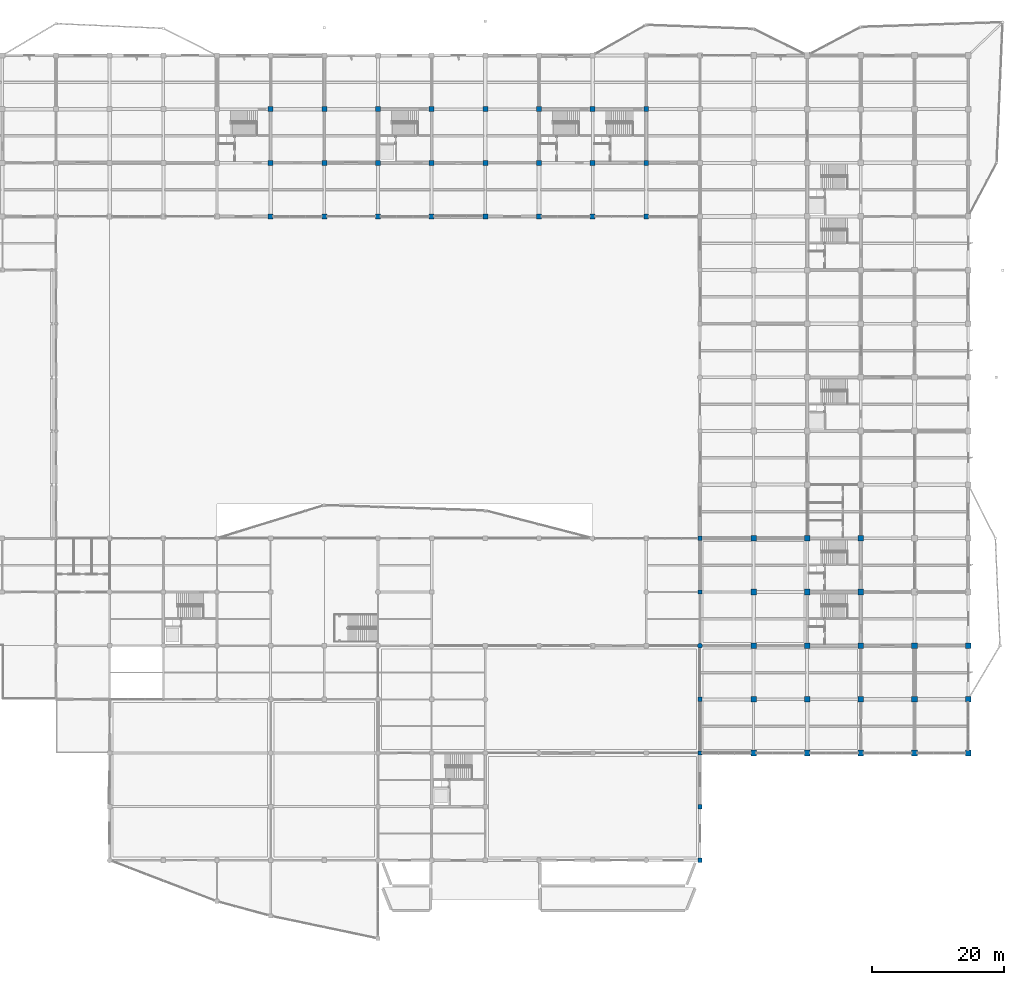
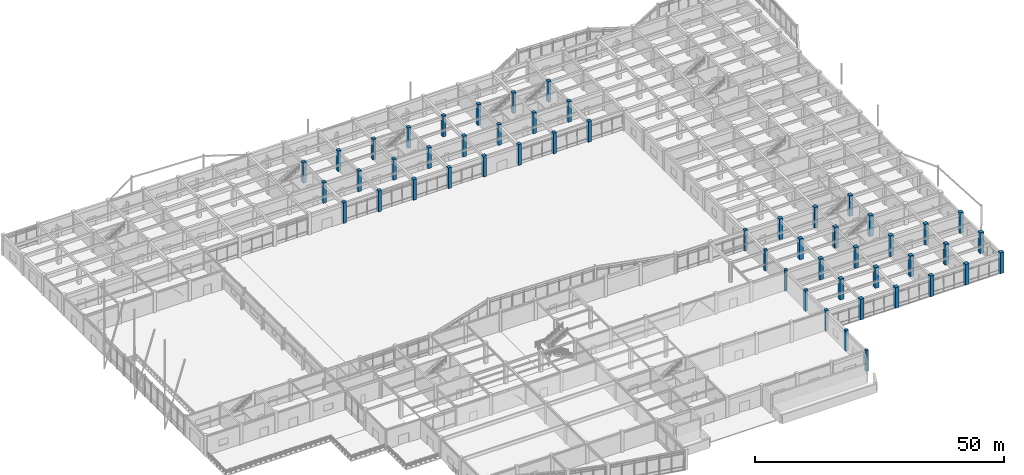
# One storey, part 12 of 99: 52 columns.
"""IFC4 building model written with IfcOpenShell, lengths in metres."""

from ifc_helpers import new_model, si_unit, direction, frame, origin, origin_2d, place, context, subcontext, project, spatial, rectangle, circle, extrude, material, material_profile, profile_set, type_object, element, save


model = new_model("IFC4")

# Units and contexts
model_context = context("Model", 3, precision=1e-05, world=origin(), true_north=direction((0.0, 1.0)))
body_context = subcontext(model_context, "Body", "Model", "MODEL_VIEW")
ifc_project = project(units=[si_unit("LENGTHUNIT", "METRE"), si_unit("AREAUNIT", "SQUARE_METRE"), si_unit("VOLUMEUNIT", "CUBIC_METRE"), si_unit("PLANEANGLEUNIT", "RADIAN"), si_unit("MASSUNIT", "GRAM", prefix="KILO")], contexts=[model_context])

# Site, building, storey
site_placement = place(None, origin())
site = spatial("IfcSite", under=ifc_project, at=site_placement, CompositionType="ELEMENT")
building_placement = place(site_placement, origin())
building = spatial("IfcBuilding", under=site, at=building_placement, Name="Vaudrelin Polytechnic", CompositionType="ELEMENT")
storey_placement = place(building_placement, origin())
storey = spatial("IfcBuildingStorey", under=building, at=storey_placement, Name="L00", CompositionType="ELEMENT", Elevation=0.0)

# Columns
ifc_material_1 = material(Name="Concrete 40 MPa", Category="concrete")
ifc_material_profile_1 = material_profile(ifc_material_1, rectangle(XDim=0.64990234375, YDim=0.64990234375, at=origin_2d()), Name="RC650x650")
ifc_profile_set_1 = profile_set([ifc_material_profile_1], Name="Concrete 40 MPa")
column_type_1 = type_object("IfcColumnType", Name="COL-C-RC650", PredefinedType="COLUMN", material=ifc_profile_set_1)
for number, where, z_axis, x_axis, name in (
    (1, (129.60009765625, 0.0, 0.0), (0.0, 0.0, 1.0), (1.0, 0.0, 0.0), "Column L00 17-1"),
    (2, (129.60009765625, 8.10009765625, 0.0), (0.0, 0.0, 1.0), (1.0, 0.0, 0.0), "Column L00 17-2"),
    (3, (129.60009765625, 16.199951171875, 0.0), (0.0, 0.0, 1.0), (1.0, 0.0, 0.0), "Column L00 17-3"),
    (4, (129.60009765625, 24.300048828125, 0.0), (0.0, 0.0, 1.0), (1.0, 0.0, 0.0), "Column L00 17-4"),
    (5, (129.60009765625, 40.5, 0.0), (0.0, 0.0, 1.0), (1.0, 0.0, 0.0), "Column L00 17-6"),
    (6, (129.60009765625, 48.60009765625, 0.0), (0.0, 0.0, 1.0), (1.0, 0.0, 0.0), "Column L00 17-7"),
):
    element("IfcColumn", number, at=place(storey_placement, frame(where, z_axis=z_axis, x_axis=x_axis)), inside=storey, type_object=column_type_1, Name=name, PredefinedType="COLUMN", context=body_context, shape_type="SweptSolid", body=[
        extrude(rectangle(XDim=0.64990234375, YDim=0.64990234375, at=origin_2d()), origin(), (0.0, 0.0, 1.0), 5.10009765625),
    ])
ifc_material_2 = material(Name="Concrete 50 MPa", Category="concrete")
ifc_material_profile_2 = material_profile(ifc_material_2, rectangle(XDim=0.75, YDim=0.75, at=origin_2d()), Name="RC750x750")
ifc_profile_set_2 = profile_set([ifc_material_profile_2], Name="Concrete 50 MPa")
column_type_2 = type_object("IfcColumnType", Name="COL-C-RC750", PredefinedType="COLUMN", material=ifc_profile_set_2)
for number, where, z_axis, x_axis, name in (
    (7, (64.800048828125, 97.199951171875, 0.0), (0.0, 0.0, 1.0), (1.0, 0.0, 0.0), "Column L00 9-13"),
    (8, (64.800048828125, 105.300048828125, 0.0), (0.0, 0.0, 1.0), (1.0, 0.0, 0.0), "Column L00 9-14"),
    (9, (64.800048828125, 113.39990234375, 0.0), (0.0, 0.0, 1.0), (1.0, 0.0, 0.0), "Column L00 9-15"),
    (10, (72.89990234375, 97.199951171875, 0.0), (0.0, 0.0, 1.0), (1.0, 0.0, 0.0), "Column L00 10-13"),
    (11, (72.89990234375, 105.300048828125, 0.0), (0.0, 0.0, 1.0), (1.0, 0.0, 0.0), "Column L00 10-14"),
    (12, (72.89990234375, 113.39990234375, 0.0), (0.0, 0.0, 1.0), (1.0, 0.0, 0.0), "Column L00 10-15"),
    (13, (81.0, 97.199951171875, 0.0), (0.0, 0.0, 1.0), (1.0, 0.0, 0.0), "Column L00 11-13"),
    (14, (81.0, 105.300048828125, 0.0), (0.0, 0.0, 1.0), (1.0, 0.0, 0.0), "Column L00 11-14"),
    (15, (81.0, 113.39990234375, 0.0), (0.0, 0.0, 1.0), (1.0, 0.0, 0.0), "Column L00 11-15"),
    (16, (89.10009765625, 97.199951171875, 0.0), (0.0, 0.0, 1.0), (1.0, 0.0, 0.0), "Column L00 12-13"),
    (17, (89.10009765625, 105.300048828125, 0.0), (0.0, 0.0, 1.0), (1.0, 0.0, 0.0), "Column L00 12-14"),
    (18, (89.10009765625, 113.39990234375, 0.0), (0.0, 0.0, 1.0), (1.0, 0.0, 0.0), "Column L00 12-15"),
    (19, (97.199951171875, 97.199951171875, 0.0), (0.0, 0.0, 1.0), (1.0, 0.0, 0.0), "Column L00 13-13"),
    (20, (97.199951171875, 105.300048828125, 0.0), (0.0, 0.0, 1.0), (1.0, 0.0, 0.0), "Column L00 13-14"),
    (21, (97.199951171875, 113.39990234375, 0.0), (0.0, 0.0, 1.0), (1.0, 0.0, 0.0), "Column L00 13-15"),
    (22, (105.300048828125, 97.199951171875, 0.0), (0.0, 0.0, 1.0), (1.0, 0.0, 0.0), "Column L00 14-13"),
    (23, (105.300048828125, 105.300048828125, 0.0), (0.0, 0.0, 1.0), (1.0, 0.0, 0.0), "Column L00 14-14"),
    (24, (105.300048828125, 113.39990234375, 0.0), (0.0, 0.0, 1.0), (1.0, 0.0, 0.0), "Column L00 14-15"),
    (25, (113.39990234375, 97.199951171875, 0.0), (0.0, 0.0, 1.0), (1.0, 0.0, 0.0), "Column L00 15-13"),
    (26, (113.39990234375, 105.300048828125, 0.0), (0.0, 0.0, 1.0), (1.0, 0.0, 0.0), "Column L00 15-14"),
    (27, (113.39990234375, 113.39990234375, 0.0), (0.0, 0.0, 1.0), (1.0, 0.0, 0.0), "Column L00 15-15"),
    (28, (121.5, 97.199951171875, 0.0), (0.0, 0.0, 1.0), (1.0, 0.0, 0.0), "Column L00 16-13"),
    (29, (121.5, 105.300048828125, 0.0), (0.0, 0.0, 1.0), (1.0, 0.0, 0.0), "Column L00 16-14"),
    (30, (121.5, 113.39990234375, 0.0), (0.0, 0.0, 1.0), (1.0, 0.0, 0.0), "Column L00 16-15"),
):
    element("IfcColumn", number, at=place(storey_placement, frame(where, z_axis=z_axis, x_axis=x_axis)), inside=storey, type_object=column_type_2, Name=name, PredefinedType="COLUMN", context=body_context, shape_type="SweptSolid", body=[
        extrude(rectangle(XDim=0.75, YDim=0.75, at=origin_2d()), origin(), (0.0, 0.0, 1.0), 5.10009765625),
    ])
ifc_material_profile_3 = material_profile(ifc_material_2, rectangle(XDim=0.85009765625, YDim=0.85009765625, at=origin_2d()), Name="RC850x850")
ifc_profile_set_3 = profile_set([ifc_material_profile_3], Name="Concrete 50 MPa")
column_type_3 = type_object("IfcColumnType", Name="COL-C-RC850", PredefinedType="COLUMN", material=ifc_profile_set_3)
for number, where, z_axis, x_axis, name in (
    (31, (137.699951171875, 16.199951171875, 0.0), (0.0, 0.0, 1.0), (1.0, 0.0, 0.0), "Column L00 18-3"),
    (32, (137.699951171875, 24.300048828125, 0.0), (0.0, 0.0, 1.0), (1.0, 0.0, 0.0), "Column L00 18-4"),
    (33, (137.699951171875, 32.39990234375, 0.0), (0.0, 0.0, 1.0), (1.0, 0.0, 0.0), "Column L00 18-5"),
    (34, (137.699951171875, 40.5, 0.0), (0.0, 0.0, 1.0), (1.0, 0.0, 0.0), "Column L00 18-6"),
    (35, (137.699951171875, 48.60009765625, 0.0), (0.0, 0.0, 1.0), (1.0, 0.0, 0.0), "Column L00 18-7"),
    (36, (145.800048828125, 16.199951171875, 0.0), (0.0, 0.0, 1.0), (1.0, 0.0, 0.0), "Column L00 19-3"),
    (37, (145.800048828125, 24.300048828125, 0.0), (0.0, 0.0, 1.0), (1.0, 0.0, 0.0), "Column L00 19-4"),
    (38, (145.800048828125, 32.39990234375, 0.0), (0.0, 0.0, 1.0), (1.0, 0.0, 0.0), "Column L00 19-5"),
    (39, (145.800048828125, 40.5, 0.0), (0.0, 0.0, 1.0), (1.0, 0.0, 0.0), "Column L00 19-6"),
    (40, (145.800048828125, 48.60009765625, 0.0), (0.0, 0.0, 1.0), (1.0, 0.0, 0.0), "Column L00 19-7"),
    (41, (153.89990234375, 16.199951171875, 0.0), (0.0, 0.0, 1.0), (1.0, 0.0, 0.0), "Column L00 20-3"),
    (42, (153.89990234375, 24.300048828125, 0.0), (0.0, 0.0, 1.0), (1.0, 0.0, 0.0), "Column L00 20-4"),
    (43, (153.89990234375, 32.39990234375, 0.0), (0.0, 0.0, 1.0), (1.0, 0.0, 0.0), "Column L00 20-5"),
    (44, (153.89990234375, 40.5, 0.0), (0.0, 0.0, 1.0), (1.0, 0.0, 0.0), "Column L00 20-6"),
    (45, (153.89990234375, 48.60009765625, 0.0), (0.0, 0.0, 1.0), (1.0, 0.0, 0.0), "Column L00 20-7"),
    (46, (162.0, 16.199951171875, 0.0), (0.0, 0.0, 1.0), (1.0, 0.0, 0.0), "Column L00 21-3"),
    (47, (162.0, 24.300048828125, 0.0), (0.0, 0.0, 1.0), (1.0, 0.0, 0.0), "Column L00 21-4"),
    (48, (162.0, 32.39990234375, 0.0), (0.0, 0.0, 1.0), (1.0, 0.0, 0.0), "Column L00 21-5"),
    (49, (170.10009765625, 16.199951171875, 0.0), (0.0, 0.0, 1.0), (1.0, 0.0, 0.0), "Column L00 22-3"),
    (50, (170.10009765625, 24.300048828125, 0.0), (0.0, 0.0, 1.0), (1.0, 0.0, 0.0), "Column L00 22-4"),
    (51, (170.10009765625, 32.39990234375, 0.0), (0.0, 0.0, 1.0), (1.0, 0.0, 0.0), "Column L00 22-5"),
):
    element("IfcColumn", number, at=place(storey_placement, frame(where, z_axis=z_axis, x_axis=x_axis)), inside=storey, type_object=column_type_3, Name=name, PredefinedType="COLUMN", context=body_context, shape_type="SweptSolid", body=[
        extrude(rectangle(XDim=0.85009765625, YDim=0.85009765625, at=origin_2d()), origin(), (0.0, 0.0, 1.0), 5.10009765625),
    ])
ifc_material_profile_4 = material_profile(ifc_material_2, circle(Radius=0.375, at=origin_2d()), Name="RCCOL750")
ifc_profile_set_4 = profile_set([ifc_material_profile_4], Name="Concrete 50 MPa")
column_type_4 = type_object("IfcColumnType", Name="COL-C-RCD750", PredefinedType="COLUMN", material=ifc_profile_set_4)
column_placement = place(storey_placement, frame((129.60009765625, 32.39990234375, 0.0), z_axis=(0.0, 0.0, 1.0), x_axis=(1.0, 0.0, 0.0)))
element("IfcColumn", 52, at=column_placement, inside=storey, type_object=column_type_4, Name="Column L00 17-5", PredefinedType="COLUMN", context=body_context, shape_type="SweptSolid", body=[
    extrude(circle(Radius=0.375, at=origin_2d()), origin(), (0.0, 0.0, 1.0), 5.10009765625),
])

save(model, "model.ifc")
